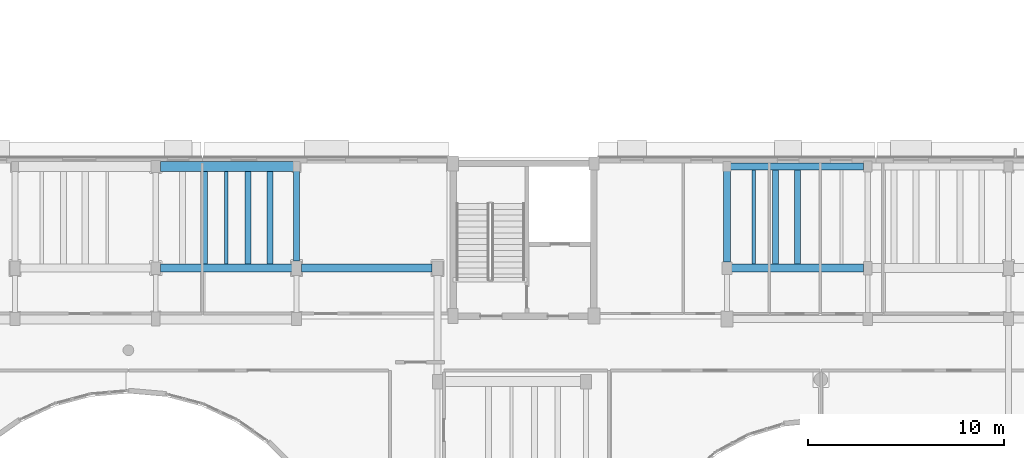
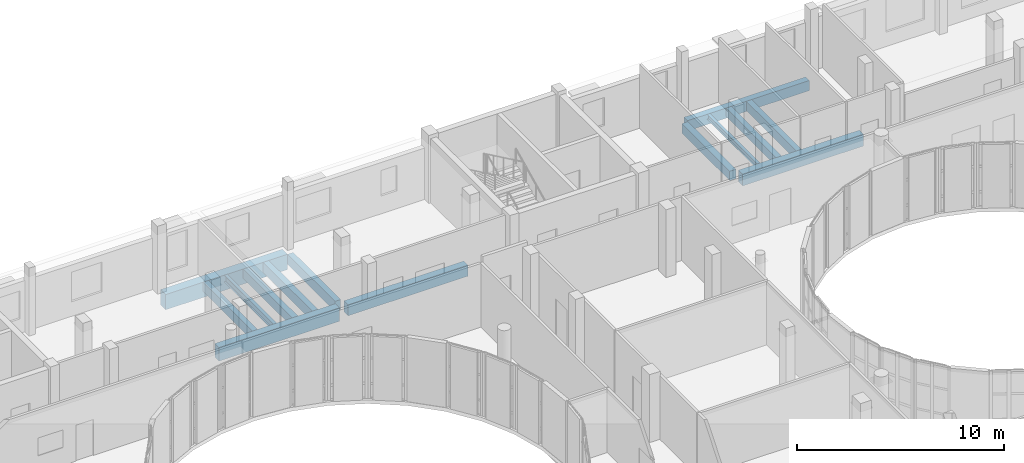
# One storey, part 40 of 89: 14 beams.
"""IFC4 building model written with IfcOpenShell, lengths in metres."""

from ifc_helpers import new_model, si_unit, direction, frame, origin, origin_2d, place, context, subcontext, project, spatial, rectangle, i_section, extrude, material, material_profile, profile_set, type_object, element, save


model = new_model("IFC4")

# Units and contexts
model_context = context("Model", 3, precision=1e-05, world=origin(), true_north=direction((0.0, 1.0)))
body_context = subcontext(model_context, "Body", "Model", "MODEL_VIEW")
ifc_project = project(units=[si_unit("LENGTHUNIT", "METRE"), si_unit("AREAUNIT", "SQUARE_METRE"), si_unit("VOLUMEUNIT", "CUBIC_METRE"), si_unit("PLANEANGLEUNIT", "RADIAN"), si_unit("MASSUNIT", "GRAM", prefix="KILO")], contexts=[model_context])

# Site, building, storey
site_placement = place(None, origin())
site = spatial("IfcSite", under=ifc_project, at=site_placement, CompositionType="ELEMENT")
building_placement = place(site_placement, origin())
building = spatial("IfcBuilding", under=site, at=building_placement, Name="Kelanivale Promenade Academy", CompositionType="ELEMENT")
storey_placement = place(building_placement, frame((0.0, 0.0, 12.199951171875)))
storey = spatial("IfcBuildingStorey", under=building, at=storey_placement, Name="L03", CompositionType="ELEMENT", Elevation=12.199951171875)

# Beams
ifc_material_1 = material(Name="Concrete C35/45", Category="concrete")
ifc_material_profile_1 = material_profile(ifc_material_1, rectangle(XDim=0.39990234375, YDim=0.64990234375, at=origin_2d()), Name="RC-BM 400x650")
ifc_profile_set_1 = profile_set([ifc_material_profile_1], Name="Concrete C35/45")
beam_type_1 = type_object("IfcBeamType", Name="BM-01 RC-BM 400x650", PredefinedType="BEAM", material=ifc_profile_set_1)
beam_1_placement = place(storey_placement, frame((72.2451171875, 74.199951171875, -0.544921875), z_axis=(1.0, 0.0, 0.0), x_axis=(0.0, 1.0, 0.0)))
element("IfcBeam", 1, at=beam_1_placement, inside=storey, type_object=beam_type_1, Name="L03 girder BM-01", PredefinedType="BEAM", context=body_context, shape_type="SweptSolid", body=[
    extrude(rectangle(XDim=0.39990234375, YDim=0.64990234375, at=origin_2d()), origin(), (0.0, 0.0, 1.0), 6.684814453125),
])
ifc_material_profile_2 = material_profile(ifc_material_1, rectangle(XDim=0.39990234375, YDim=0.699951171875, at=origin_2d()), Name="RC-BM 400x700")
ifc_profile_set_2 = profile_set([ifc_material_profile_2], Name="Concrete C35/45")
beam_type_2 = type_object("IfcBeamType", Name="BM-02 RC-BM 400x700", PredefinedType="BEAM", material=ifc_profile_set_2)
beam_2_placement = place(storey_placement, frame((94.2451171875, 74.199951171875, -0.570068359375), z_axis=(1.0, 0.0, 0.0), x_axis=(0.0, 1.0, 0.0)))
element("IfcBeam", 2, at=beam_2_placement, inside=storey, type_object=beam_type_2, Name="L03 girder BM-02", PredefinedType="BEAM", context=body_context, shape_type="SweptSolid", body=[
    extrude(rectangle(XDim=0.39990234375, YDim=0.699951171875, at=origin_2d()), origin(), (0.0, 0.0, 1.0), 6.73486328125),
])
ifc_material_profile_3 = material_profile(ifc_material_1, rectangle(XDim=0.5, YDim=0.89990234375, at=origin_2d()), Name="RC-BM 500x900")
ifc_profile_set_3 = profile_set([ifc_material_profile_3], Name="Concrete C35/45")
beam_type_3 = type_object("IfcBeamType", Name="BM-08 RC-BM 500x900", PredefinedType="BEAM", material=ifc_profile_set_3)
beam_3_placement = place(storey_placement, frame((65.044921875, 79.39990234375, -0.669921875), z_axis=(1.0, 0.0, 0.0), x_axis=(0.0, 1.0, 0.0)))
element("IfcBeam", 3, at=beam_3_placement, inside=storey, type_object=beam_type_3, Name="L03 girder BM-08", PredefinedType="BEAM", context=body_context, shape_type="SweptSolid", body=[
    extrude(rectangle(XDim=0.5, YDim=0.89990234375, at=origin_2d()), origin(), (0.0, 0.0, 1.0), 6.78515625),
])
ifc_material_profile_4 = material_profile(ifc_material_1, rectangle(XDim=0.35009765625, YDim=0.60009765625, at=origin_2d()), Name="RC-BM 350x600")
ifc_profile_set_4 = profile_set([ifc_material_profile_4], Name="Concrete C35/45")
beam_type_4 = type_object("IfcBeamType", Name="BM-09 RC-BM 350x600", PredefinedType="BEAM", material=ifc_profile_set_4)
beam_4_placement = place(storey_placement, frame((94.195068359375, 79.39990234375, -0.52001953125), z_axis=(1.0, 0.0, 0.0), x_axis=(0.0, 1.0, 0.0)))
element("IfcBeam", 4, at=beam_4_placement, inside=storey, type_object=beam_type_4, Name="L03 girder BM-09", PredefinedType="BEAM", context=body_context, shape_type="SweptSolid", body=[
    extrude(rectangle(XDim=0.35009765625, YDim=0.60009765625, at=origin_2d()), origin(), (0.0, 0.0, 1.0), 6.784912109375),
])
ifc_material_profile_5 = material_profile(ifc_material_1, rectangle(XDim=0.39990234375, YDim=0.800048828125, at=origin_2d()), Name="RC-BM 400x800")
ifc_profile_set_5 = profile_set([ifc_material_profile_5], Name="Concrete C35/45")
beam_type_5 = type_object("IfcBeamType", Name="BM-14 RC-BM 400x800", PredefinedType="BEAM", material=ifc_profile_set_5)
beam_5_placement = place(storey_placement, frame((65.044921875, 74.199951171875, -0.619873046875), z_axis=(1.0, 0.0, 0.0), x_axis=(0.0, 1.0, 0.0)))
element("IfcBeam", 5, at=beam_5_placement, inside=storey, type_object=beam_type_5, Name="L03 girder BM-14", PredefinedType="BEAM", context=body_context, shape_type="SweptSolid", body=[
    extrude(rectangle(XDim=0.39990234375, YDim=0.800048828125, at=origin_2d()), origin(), (0.0, 0.0, 1.0), 6.7099609375),
])
ifc_material_profile_6 = material_profile(ifc_material_1, rectangle(XDim=0.300048828125, YDim=0.5, at=origin_2d()), Name="RC-BM 300x500")
ifc_profile_set_6 = profile_set([ifc_material_profile_6], Name="Concrete C35/45")
beam_type_6 = type_object("IfcBeamType", Name="JS-01 RC-BM 300x500", PredefinedType="JOIST", material=ifc_profile_set_6)
beam_6_placement = place(storey_placement, frame((96.489990234375, 74.39990234375, -0.469970703125), z_axis=(0.0, 1.0, 0.0), x_axis=(-1.0, 0.0, 0.0)))
element("IfcBeam", 6, at=beam_6_placement, inside=storey, type_object=beam_type_6, Name="L03 secondary sub-beam JS-01", PredefinedType="JOIST", context=body_context, shape_type="SweptSolid", body=[
    extrude(rectangle(XDim=0.300048828125, YDim=0.5, at=origin_2d()), origin(), (0.0, 0.0, 1.0), 4.8251953125),
])
ifc_material_profile_7 = material_profile(ifc_material_1, rectangle(XDim=0.300048828125, YDim=0.550048828125, at=origin_2d()), Name="RC-BM 300x550")
ifc_profile_set_7 = profile_set([ifc_material_profile_7], Name="Concrete C35/45")
beam_type_7 = type_object("IfcBeamType", Name="JS-02 RC-BM 300x550", PredefinedType="JOIST", material=ifc_profile_set_7)
beam_7_placement = place(storey_placement, frame((67.281982421875, 74.39990234375, -0.494873046875), z_axis=(0.0, 1.0, 0.0), x_axis=(-1.0, 0.0, 0.0)))
element("IfcBeam", 7, at=beam_7_placement, inside=storey, type_object=beam_type_7, Name="L03 secondary sub-beam JS-02", PredefinedType="JOIST", context=body_context, shape_type="SweptSolid", body=[
    extrude(rectangle(XDim=0.300048828125, YDim=0.550048828125, at=origin_2d()), origin(), (0.0, 0.0, 1.0), 4.75),
])
beam_8_placement = place(storey_placement, frame((97.613037109375, 74.39990234375, -0.494873046875), z_axis=(0.0, 1.0, 0.0), x_axis=(-1.0, 0.0, 0.0)))
element("IfcBeam", 8, at=beam_8_placement, inside=storey, type_object=beam_type_7, Name="L03 secondary sub-beam JS-02", PredefinedType="JOIST", context=body_context, shape_type="SweptSolid", body=[
    extrude(rectangle(XDim=0.300048828125, YDim=0.550048828125, at=origin_2d()), origin(), (0.0, 0.0, 1.0), 4.8251953125),
])
ifc_material_profile_8 = material_profile(ifc_material_1, rectangle(XDim=0.320068359375, YDim=0.550048828125, at=origin_2d()), Name="RC-BM 320x550")
ifc_profile_set_8 = profile_set([ifc_material_profile_8], Name="Concrete C35/45")
beam_type_8 = type_object("IfcBeamType", Name="JS-04 RC-BM 320x550", PredefinedType="JOIST", material=ifc_profile_set_8)
beam_9_placement = place(storey_placement, frame((69.51806640625, 74.39990234375, -0.494873046875), z_axis=(0.0, 1.0, 0.0), x_axis=(-1.0, 0.0, 0.0)))
element("IfcBeam", 9, at=beam_9_placement, inside=storey, type_object=beam_type_8, Name="L03 secondary sub-beam JS-04", PredefinedType="JOIST", context=body_context, shape_type="SweptSolid", body=[
    extrude(rectangle(XDim=0.320068359375, YDim=0.550048828125, at=origin_2d()), origin(), (0.0, 0.0, 1.0), 4.75),
])
ifc_material_profile_9 = material_profile(ifc_material_1, rectangle(XDim=0.320068359375, YDim=0.60009765625, at=origin_2d()), Name="RC-BM 320x600")
ifc_profile_set_9 = profile_set([ifc_material_profile_9], Name="Concrete C35/45")
beam_type_9 = type_object("IfcBeamType", Name="JS-05 RC-BM 320x600", PredefinedType="JOIST", material=ifc_profile_set_9)
beam_10_placement = place(storey_placement, frame((72.0, 74.570068359375, -0.52001953125), z_axis=(0.0, 1.0, 0.0), x_axis=(-1.0, 0.0, 0.0)))
element("IfcBeam", 10, at=beam_10_placement, inside=storey, type_object=beam_type_9, Name="L03 beam JS-05", PredefinedType="JOIST", context=body_context, shape_type="SweptSolid", body=[
    extrude(rectangle(XDim=0.320068359375, YDim=0.60009765625, at=origin_2d()), origin(), (0.0, 0.0, 1.0), 4.5849609375),
])
beam_11_placement = place(storey_placement, frame((70.636962890625, 74.39990234375, -0.52001953125), z_axis=(0.0, 1.0, 0.0), x_axis=(-1.0, 0.0, 0.0)))
element("IfcBeam", 11, at=beam_11_placement, inside=storey, type_object=beam_type_9, Name="L03 secondary sub-beam JS-05", PredefinedType="JOIST", context=body_context, shape_type="SweptSolid", body=[
    extrude(rectangle(XDim=0.320068359375, YDim=0.60009765625, at=origin_2d()), origin(), (0.0, 0.0, 1.0), 4.75),
])
ifc_material_profile_10 = material_profile(ifc_material_1, rectangle(XDim=0.35009765625, YDim=0.550048828125, at=origin_2d()), Name="RC-BM 350x550")
ifc_profile_set_10 = profile_set([ifc_material_profile_10], Name="Concrete C35/45")
beam_type_10 = type_object("IfcBeamType", Name="JS-06 RC-BM 350x550", PredefinedType="JOIST", material=ifc_profile_set_10)
beam_12_placement = place(storey_placement, frame((94.0, 74.52001953125, -0.494873046875), z_axis=(0.0, 1.0, 0.0), x_axis=(-1.0, 0.0, 0.0)))
element("IfcBeam", 12, at=beam_12_placement, inside=storey, type_object=beam_type_10, Name="L03 beam JS-06", PredefinedType="JOIST", context=body_context, shape_type="SweptSolid", body=[
    extrude(rectangle(XDim=0.35009765625, YDim=0.550048828125, at=origin_2d()), origin(), (0.0, 0.0, 1.0), 4.635009765625),
])
ifc_material_2 = material(Name="Steel S355", Category="steel")
ifc_material_profile_11 = material_profile(ifc_material_2, i_section(OverallWidth=0.1650390625, OverallDepth=0.303466796875, WebThickness=0.006103515625, FlangeThickness=0.01025390625, FilletRadius=0.0087890625, at=origin_2d()), Name="UB 305x165x40")
ifc_profile_set_11 = profile_set([ifc_material_profile_11], Name="Steel S355")
beam_type_11 = type_object("IfcBeamType", Name="SB-03 UB 305x165x40", PredefinedType="BEAM", material=ifc_profile_set_11)
beam_13_placement = place(storey_placement, frame((95.367919921875, 74.39990234375, -0.3720703125), z_axis=(0.0, 1.0, 0.0), x_axis=(-1.0, 0.0, 0.0)))
element("IfcBeam", 13, at=beam_13_placement, inside=storey, type_object=beam_type_11, Name="L03 secondary sub-beam SB-03", PredefinedType="BEAM", context=body_context, shape_type="SweptSolid", body=[
    extrude(i_section(OverallWidth=0.1650390625, OverallDepth=0.303466796875, WebThickness=0.006103515625, FlangeThickness=0.01025390625, FilletRadius=0.0087890625, at=origin_2d()), origin(), (0.0, 0.0, 1.0), 4.8251953125),
])
ifc_material_profile_12 = material_profile(ifc_material_2, i_section(OverallWidth=0.177978515625, OverallDepth=0.406494140625, WebThickness=0.0078125, FlangeThickness=0.0126953125, FilletRadius=0.01025390625, at=origin_2d()), Name="UB 406x178x60")
ifc_profile_set_12 = profile_set([ifc_material_profile_12], Name="Steel S355")
beam_type_12 = type_object("IfcBeamType", Name="SB-05 UB 406x178x60", PredefinedType="BEAM", material=ifc_profile_set_12)
beam_14_placement = place(storey_placement, frame((68.39990234375, 74.39990234375, -0.4228515625), z_axis=(0.0, 1.0, 0.0), x_axis=(-1.0, 0.0, 0.0)))
element("IfcBeam", 14, at=beam_14_placement, inside=storey, type_object=beam_type_12, Name="L03 secondary sub-beam SB-05", PredefinedType="BEAM", context=body_context, shape_type="SweptSolid", body=[
    extrude(i_section(OverallWidth=0.177978515625, OverallDepth=0.406494140625, WebThickness=0.0078125, FlangeThickness=0.0126953125, FilletRadius=0.01025390625, at=origin_2d()), origin(), (0.0, 0.0, 1.0), 4.75),
])

save(model, "model.ifc")
